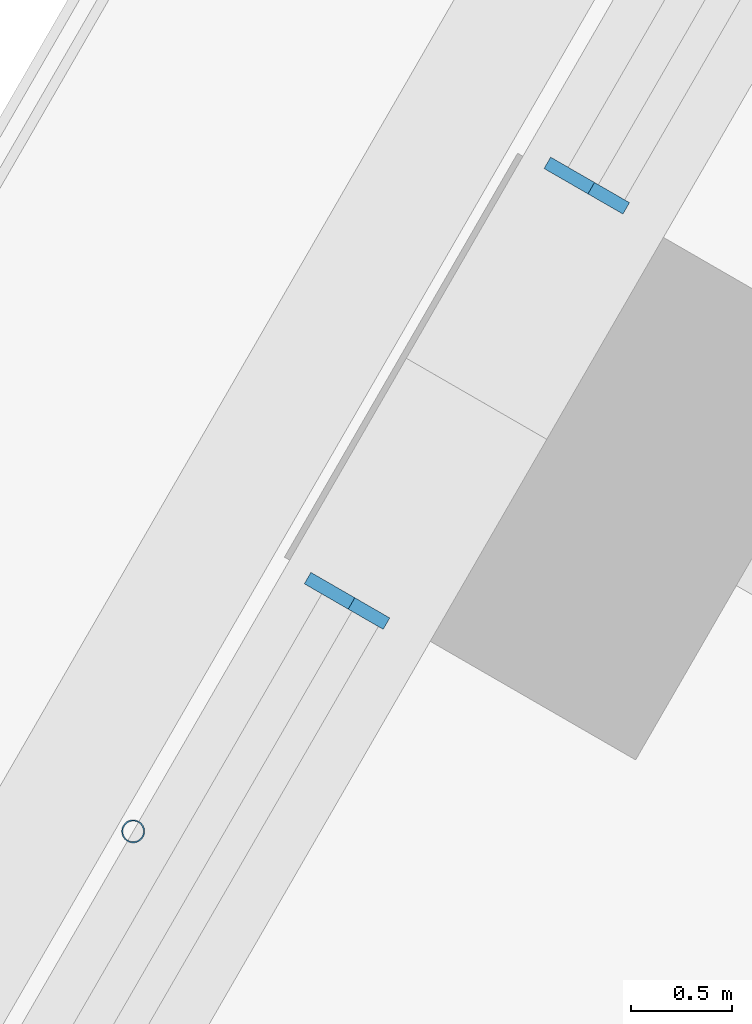
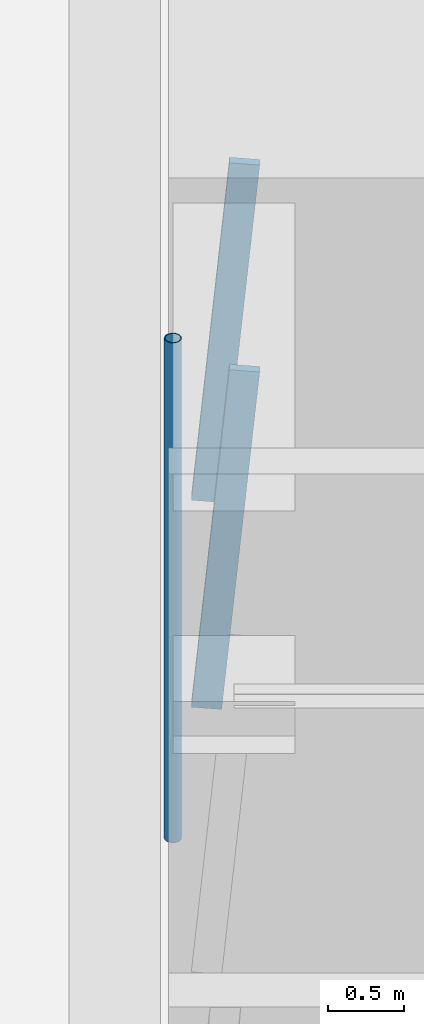
# One storey, part 7 of 23: 3 members, 2 elements without a shape of their own.
"""IFC4 building model written with IfcOpenShell, lengths in metres."""

from ifc_helpers import new_model, si_unit, direction, frame, origin, origin_2d, place, context, subcontext, project, spatial, rectangle, hollow_circle, extrude, material, material_profile, profile_set, type_object, element, aggregate, save


model = new_model("IFC4")

# Units and contexts
model_context = context("Model", 3, precision=1e-05, world=origin(), true_north=direction((0.0, 1.0)))
body_context = subcontext(model_context, "Body", "Model", "MODEL_VIEW")
ifc_project = project(units=[si_unit("LENGTHUNIT", "METRE"), si_unit("AREAUNIT", "SQUARE_METRE"), si_unit("VOLUMEUNIT", "CUBIC_METRE"), si_unit("PLANEANGLEUNIT", "RADIAN"), si_unit("MASSUNIT", "GRAM", prefix="KILO")], contexts=[model_context])

# Site, building, storey
site_placement = place(None, origin())
site = spatial("IfcSite", under=ifc_project, at=site_placement, CompositionType="ELEMENT")
building_placement = place(site_placement, origin())
building = spatial("IfcBuilding", under=site, at=building_placement, Name="Tarfa Lantern Tower", CompositionType="ELEMENT")
storey_placement = place(building_placement, frame((0.0, 0.0, 31.89990234375)))
storey = spatial("IfcBuildingStorey", under=building, at=storey_placement, Name="L06", CompositionType="ELEMENT", Elevation=31.89990234375)

# Curtain wall, member
ifc_material_1 = material(Name="Aluminium framed curtain wall", Category="aluminium")
curtain_wall_type = type_object("IfcCurtainWallType", Name="CW1 CANTED GLAZING LOW ZONE 2700", PredefinedType="USERDEFINED", material=ifc_material_1)
curtain_wall_1_placement = place(storey_placement, origin())
curtain_wall_1 = element("IfcCurtainWall", 1, at=curtain_wall_1_placement, inside=storey, type_object=curtain_wall_type, Name="CW1 NW L06", ObjectType="CURTAIN WALL", PredefinedType="USERDEFINED")
ifc_material_2 = material(Name="Aluminium mullion", Category="aluminium")
ifc_material_profile_1 = material_profile(ifc_material_2, rectangle(XDim=0.06494140625, YDim=0.199951171875, at=origin_2d()), Name="AL MULLION 65x200")
ifc_profile_set_1 = profile_set([ifc_material_profile_1], Name="Aluminium mullion")
member_type_1 = type_object("IfcMemberType", Name="CWM1 MULLION 65x200", PredefinedType="MULLION", material=ifc_profile_set_1)
member_1_placement = place(storey_placement, frame((-31.46142578125, 13.307373046875, 0.0), z_axis=(0.079857261722, -0.046095736191, 0.995739926314), x_axis=(0.499919672301, 0.866071776036, 0.0)))
member_1 = element("IfcMember", 2, at=member_1_placement, type_object=member_type_1, Name="CW1 mullion 2", PredefinedType="MULLION", context=body_context, shape_type="SweptSolid", body=[
    extrude(rectangle(XDim=0.06494140625, YDim=0.199951171875, at=origin_2d()), origin(), (0.0, 0.0, 1.0), 2.711669921875),
])
aggregate(curtain_wall_1, [member_1])

curtain_wall_2_placement = place(storey_placement, origin())
curtain_wall_2 = element("IfcCurtainWall", 3, at=curtain_wall_2_placement, inside=storey, type_object=curtain_wall_type, Name="CW1 NW L06", ObjectType="CURTAIN WALL", PredefinedType="USERDEFINED")
member_2_placement = place(storey_placement, frame((-32.643798828125, 11.25927734375, 0.0), z_axis=(0.079857261722, -0.046095736191, 0.995739926314), x_axis=(0.499919672301, 0.866071776036, 0.0)))
member_2 = element("IfcMember", 4, at=member_2_placement, type_object=member_type_1, Name="CW1 mullion 1", PredefinedType="MULLION", context=body_context, shape_type="SweptSolid", body=[
    extrude(rectangle(XDim=0.06494140625, YDim=0.199951171875, at=origin_2d()), origin(), (0.0, 0.0, 1.0), 2.711669921875),
])
aggregate(curtain_wall_2, [member_2])

# Member
ifc_material_3 = material(Name="Steel S355", Category="steel")
ifc_material_profile_2 = material_profile(ifc_material_3, hollow_circle(Radius=0.05712890625, WallThickness=0.00634765625, at=origin_2d()), Name="CHS114.3x6.3")
ifc_profile_set_2 = profile_set([ifc_material_profile_2], Name="Steel S355")
member_type_2 = type_object("IfcMemberType", Name="TR1 GREEN WALL TRELLIS CHS114.3x6.3", PredefinedType="USERDEFINED", material=ifc_profile_set_2)
member_3_placement = place(storey_placement, frame((-33.59033203125, 10.06005859375, 0.0), z_axis=(0.0, 0.0, 1.0), x_axis=(1.0, 0.0, 0.0)))
element("IfcMember", 5, at=member_3_placement, inside=storey, type_object=member_type_2, Name="Trellis post NW 2", ObjectType="TRELLIS", PredefinedType="USERDEFINED", context=body_context, shape_type="SweptSolid", body=[
    extrude(hollow_circle(Radius=0.05712890625, WallThickness=0.00634765625, at=origin_2d()), origin(), (0.0, 0.0, 1.0), 4.0),
])

save(model, "model.ifc")
